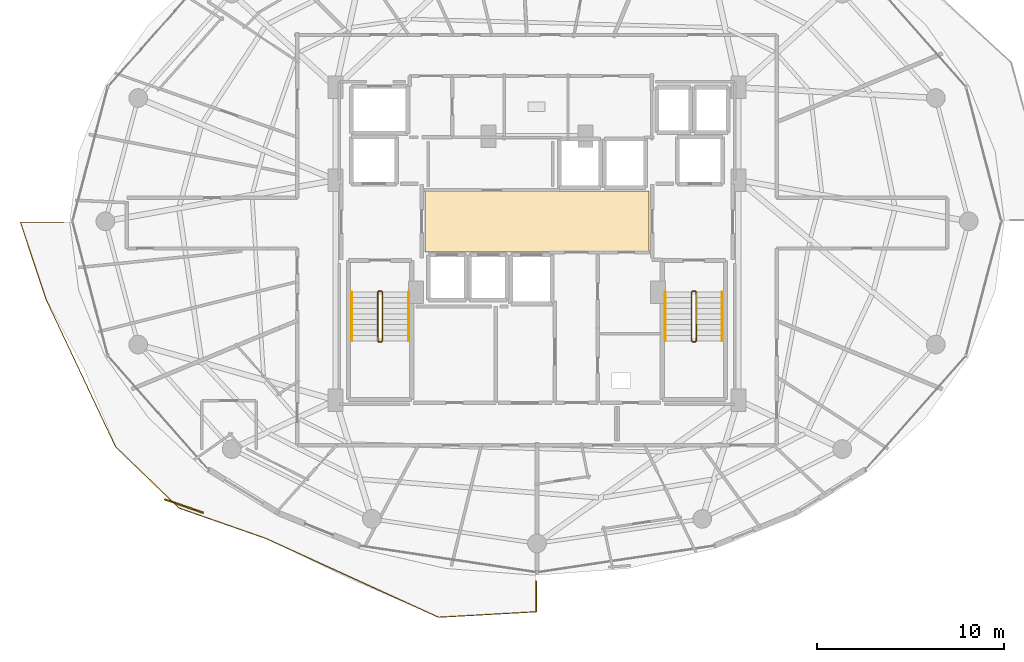
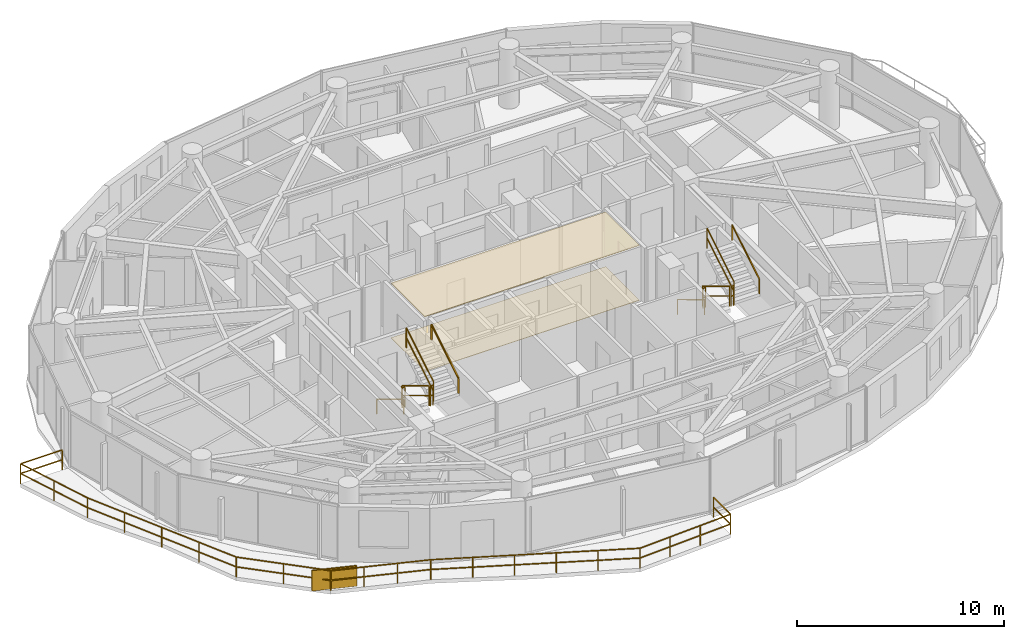
# One storey, part 26 of 28: 14 railings, 2 coverings, 1 shading device.
"""IFC4 building model written with IfcOpenShell, lengths in metres."""

from ifc_helpers import new_model, si_unit, direction, frame, origin, origin_2d, place, context, subcontext, project, spatial, polyline, rectangle, outline, extrude, material, layer, layer_set, type_object, element, save


model = new_model("IFC4")

# Units and contexts
model_context = context("Model", 3, precision=1e-05, world=origin(), true_north=direction((0.0, 1.0)))
body_context = subcontext(model_context, "Body", "Model", "MODEL_VIEW")
ifc_project = project(units=[si_unit("LENGTHUNIT", "METRE"), si_unit("AREAUNIT", "SQUARE_METRE"), si_unit("VOLUMEUNIT", "CUBIC_METRE"), si_unit("PLANEANGLEUNIT", "RADIAN"), si_unit("MASSUNIT", "GRAM", prefix="KILO")], contexts=[model_context])

# Site, building, storey
site_placement = place(None, origin())
site = spatial("IfcSite", under=ifc_project, at=site_placement, CompositionType="ELEMENT")
building_placement = place(site_placement, origin())
building = spatial("IfcBuilding", under=site, at=building_placement, Name="Vorneva Point Tower", CompositionType="ELEMENT")
storey_placement = place(building_placement, frame((0.0, 0.0, 164.10009765625)))
storey = spatial("IfcBuildingStorey", under=building, at=storey_placement, Name="L44", CompositionType="ELEMENT", Elevation=164.10009765625)

# Coverings
ifc_material_1 = material(Name="Perforated acoustic aluminium baffle ceiling", Category="aluminium")
ifc_layer_1 = layer(ifc_material_1, 0.030029296875)
ifc_layer_set_1 = layer_set([ifc_layer_1], Name="Perforated acoustic aluminium baffle ceiling")
covering_type_1 = type_object("IfcCoveringType", Name="COV-CEIL-BAF", PredefinedType="CEILING", material=ifc_layer_set_1)
covering_1_placement = place(storey_placement, frame((0.0, 0.0, 3.2099609375)))
element("IfcCovering", 1, at=covering_1_placement, inside=storey, type_object=covering_type_1, Name="L44 Lift Lobby Acoustic Baffle Ceiling", PredefinedType="CEILING", context=body_context, shape_type="SweptSolid", body=[
    extrude(outline(polyline([(32.02001953125, 24.3701171875), (43.97998046875, 24.3701171875), (43.97998046875, 27.6298828125), (32.02001953125, 27.6298828125), (32.02001953125, 24.3701171875)])), origin(), (0.0, 0.0, 1.0), 0.034912109375),
])
ifc_material_2 = material(Name="Acoustic wool hospitality carpet", Category="textile")
ifc_layer_2 = layer(ifc_material_2, 0.01806640625)
ifc_layer_set_2 = layer_set([ifc_layer_2], Name="Acoustic wool hospitality carpet")
covering_type_2 = type_object("IfcCoveringType", Name="COV-FLR-CRP", PredefinedType="FLOORING", material=ifc_layer_set_2)
covering_2_placement = place(storey_placement, frame((0.0, 0.0, -0.005126953125)))
element("IfcCovering", 2, at=covering_2_placement, inside=storey, type_object=covering_type_2, Name="L44 Lift Lobby Floor Finish", PredefinedType="FLOORING", context=body_context, shape_type="SweptSolid", body=[
    extrude(outline(polyline([(32.02001953125, 24.3701171875), (43.97998046875, 24.3701171875), (43.97998046875, 27.6298828125), (32.02001953125, 27.6298828125), (32.02001953125, 24.3701171875)])), origin(), (0.0, 0.0, 1.0), 0.02294921875),
])

# Railings
ifc_material_3 = material(Name="Pale anodised aluminium", Category="aluminium")
railing_type_1 = type_object("IfcRailingType", Name="RL-BAL-1200", PredefinedType="BALUSTRADE", material=ifc_material_3)
railing_1_placement = place(storey_placement, frame((37.949951171875, 5.147216796875, 0.0)))
element("IfcRailing", 3, at=railing_1_placement, inside=storey, type_object=railing_type_1, Name="L44 Wave Balcony Balustrade SW.1", PredefinedType="BALUSTRADE", context=body_context, shape_type="SweptSolid", body=[
    extrude(rectangle(XDim=0.048095703125, YDim=0.048095703125, at=origin_2d()), frame((0.0, 0.0, 1.17578125), z_axis=(0.0, 1.0, 0.0), x_axis=(-1.0, 0.0, 0.0)), (0.0, 0.0, 1.0), 1.635498046875),
    extrude(rectangle(XDim=0.048095703125, YDim=0.048095703125, at=origin_2d()), frame((0.0, 0.0, 0.60009765625), z_axis=(0.0, 1.0, 0.0), x_axis=(-1.0, 0.0, 0.0)), (0.0, 0.0, 1.0), 1.635498046875),
    extrude(rectangle(XDim=0.0419921875, YDim=0.0419921875, at=origin_2d()), origin(), (0.0, 0.0, 1.0), 1.15185546875),
    extrude(rectangle(XDim=0.0419921875, YDim=0.0419921875, at=origin_2d()), frame((0.0, 1.635498046875, 0.0)), (0.0, 0.0, 1.0), 1.15185546875),
])
railing_2_placement = place(storey_placement, frame((12.73388671875, 25.949951171875, 0.0)))
element("IfcRailing", 4, at=railing_2_placement, inside=storey, type_object=railing_type_1, Name="L44 Wave Balcony Balustrade SW.2", PredefinedType="BALUSTRADE", context=body_context, shape_type="SweptSolid", body=[
    extrude(rectangle(XDim=0.048095703125, YDim=0.048095703125, at=origin_2d()), frame((0.0, 0.0, 1.17578125), z_axis=(-1.0, 0.0, 0.0), x_axis=(0.0, -1.0, 0.0)), (0.0, 0.0, 1.0), 2.3173828125),
    extrude(rectangle(XDim=0.048095703125, YDim=0.048095703125, at=origin_2d()), frame((0.0, 0.0, 0.60009765625), z_axis=(-1.0, 0.0, 0.0), x_axis=(0.0, -1.0, 0.0)), (0.0, 0.0, 1.0), 2.3173828125),
    extrude(rectangle(XDim=0.048095703125, YDim=0.048095703125, at=origin_2d()), frame((-2.3173828125, 0.0, 1.17578125), z_axis=(0.314768350801, -0.949168523148, 0.0), x_axis=(0.949168523148, 0.314768350801, 0.0)), (0.0, 0.0, 1.0), 4.317138671875),
    extrude(rectangle(XDim=0.048095703125, YDim=0.048095703125, at=origin_2d()), frame((-2.3173828125, 0.0, 0.60009765625), z_axis=(0.314768350801, -0.949168523148, 0.0), x_axis=(0.949168523148, 0.314768350801, 0.0)), (0.0, 0.0, 1.0), 4.317138671875),
    extrude(rectangle(XDim=0.048095703125, YDim=0.048095703125, at=origin_2d()), frame((-0.95849609375, -4.09765625, 1.17578125), z_axis=(0.426522468601, -0.90447696697, 0.0), x_axis=(0.90447696697, 0.426522468601, 0.0)), (0.0, 0.0, 1.0), 8.734130859375),
    extrude(rectangle(XDim=0.048095703125, YDim=0.048095703125, at=origin_2d()), frame((-0.95849609375, -4.09765625, 0.60009765625), z_axis=(0.426522468601, -0.90447696697, 0.0), x_axis=(0.90447696697, 0.426522468601, 0.0)), (0.0, 0.0, 1.0), 8.734130859375),
    extrude(rectangle(XDim=0.048095703125, YDim=0.048095703125, at=origin_2d()), frame((2.766845703125, -11.99755859375, 1.17578125), z_axis=(0.719233181194, -0.694768760862, 0.0), x_axis=(0.694768760862, 0.719233181194, 0.0)), (0.0, 0.0, 1.0), 4.7001953125),
    extrude(rectangle(XDim=0.048095703125, YDim=0.048095703125, at=origin_2d()), frame((2.766845703125, -11.99755859375, 0.60009765625), z_axis=(0.719233181194, -0.694768760862, 0.0), x_axis=(0.694768760862, 0.719233181194, 0.0)), (0.0, 0.0, 1.0), 4.7001953125),
    extrude(rectangle(XDim=0.048095703125, YDim=0.048095703125, at=origin_2d()), frame((6.1474609375, -15.26318359375, 1.17578125), z_axis=(0.94396750054, -0.33003841886, 0.0), x_axis=(0.33003841886, 0.94396750054, 0.0)), (0.0, 0.0, 1.0), 4.914794921875),
    extrude(rectangle(XDim=0.048095703125, YDim=0.048095703125, at=origin_2d()), frame((6.1474609375, -15.26318359375, 0.60009765625), z_axis=(0.94396750054, -0.33003841886, 0.0), x_axis=(0.33003841886, 0.94396750054, 0.0)), (0.0, 0.0, 1.0), 4.914794921875),
    extrude(rectangle(XDim=0.048095703125, YDim=0.048095703125, at=origin_2d()), frame((10.786865234375, -16.88525390625, 1.17578125), z_axis=(0.909685431794, -0.415297983599, 0.0), x_axis=(0.415297983599, 0.909685431794, 0.0)), (0.0, 0.0, 1.0), 10.13427734375),
    extrude(rectangle(XDim=0.048095703125, YDim=0.048095703125, at=origin_2d()), frame((10.786865234375, -16.88525390625, 0.60009765625), z_axis=(0.909685431794, -0.415297983599, 0.0), x_axis=(0.415297983599, 0.909685431794, 0.0)), (0.0, 0.0, 1.0), 10.13427734375),
    extrude(rectangle(XDim=0.048095703125, YDim=0.048095703125, at=origin_2d()), frame((20.005859375, -21.093994140625, 1.17578125), z_axis=(0.998441147821, 0.055814642676, 0.0), x_axis=(-0.055814642676, 0.998441147821, 0.0)), (0.0, 0.0, 1.0), 5.21826171875),
    extrude(rectangle(XDim=0.048095703125, YDim=0.048095703125, at=origin_2d()), frame((20.005859375, -21.093994140625, 0.60009765625), z_axis=(0.998441147821, 0.055814642676, 0.0), x_axis=(-0.055814642676, 0.998441147821, 0.0)), (0.0, 0.0, 1.0), 5.21826171875),
    extrude(rectangle(XDim=0.0419921875, YDim=0.0419921875, at=origin_2d()), origin(), (0.0, 0.0, 1.0), 1.15185546875),
    extrude(rectangle(XDim=0.0419921875, YDim=0.0419921875, at=origin_2d()), frame((-2.3173828125, 0.0, 0.0)), (0.0, 0.0, 1.0), 1.15185546875),
    extrude(rectangle(XDim=0.0419921875, YDim=0.0419921875, at=origin_2d()), frame((-1.637939453125, -2.048828125, 0.0)), (0.0, 0.0, 1.0), 1.15185546875),
    extrude(rectangle(XDim=0.0419921875, YDim=0.0419921875, at=origin_2d()), frame((-0.95849609375, -4.09765625, 0.0)), (0.0, 0.0, 1.0), 1.15185546875),
    extrude(rectangle(XDim=0.0419921875, YDim=0.0419921875, at=origin_2d()), frame((-0.027099609375, -6.07275390625, 0.0)), (0.0, 0.0, 1.0), 1.15185546875),
    extrude(rectangle(XDim=0.0419921875, YDim=0.0419921875, at=origin_2d()), frame((0.904296875, -8.047607421875, 0.0)), (0.0, 0.0, 1.0), 1.15185546875),
    extrude(rectangle(XDim=0.0419921875, YDim=0.0419921875, at=origin_2d()), frame((1.83544921875, -10.0224609375, 0.0)), (0.0, 0.0, 1.0), 1.15185546875),
    extrude(rectangle(XDim=0.0419921875, YDim=0.0419921875, at=origin_2d()), frame((2.766845703125, -11.99755859375, 0.0)), (0.0, 0.0, 1.0), 1.15185546875),
    extrude(rectangle(XDim=0.0419921875, YDim=0.0419921875, at=origin_2d()), frame((4.45703125, -13.63037109375, 0.0)), (0.0, 0.0, 1.0), 1.15185546875),
    extrude(rectangle(XDim=0.0419921875, YDim=0.0419921875, at=origin_2d()), frame((6.1474609375, -15.26318359375, 0.0)), (0.0, 0.0, 1.0), 1.15185546875),
    extrude(rectangle(XDim=0.0419921875, YDim=0.0419921875, at=origin_2d()), frame((7.69384765625, -15.803955078125, 0.0)), (0.0, 0.0, 1.0), 1.15185546875),
    extrude(rectangle(XDim=0.0419921875, YDim=0.0419921875, at=origin_2d()), frame((9.240478515625, -16.344482421875, 0.0)), (0.0, 0.0, 1.0), 1.15185546875),
    extrude(rectangle(XDim=0.0419921875, YDim=0.0419921875, at=origin_2d()), frame((10.786865234375, -16.88525390625, 0.0)), (0.0, 0.0, 1.0), 1.15185546875),
    extrude(rectangle(XDim=0.0419921875, YDim=0.0419921875, at=origin_2d()), frame((12.630615234375, -17.72705078125, 0.0)), (0.0, 0.0, 1.0), 1.15185546875),
    extrude(rectangle(XDim=0.0419921875, YDim=0.0419921875, at=origin_2d()), frame((14.474365234375, -18.56884765625, 0.0)), (0.0, 0.0, 1.0), 1.15185546875),
    extrude(rectangle(XDim=0.0419921875, YDim=0.0419921875, at=origin_2d()), frame((16.318359375, -19.410400390625, 0.0)), (0.0, 0.0, 1.0), 1.15185546875),
    extrude(rectangle(XDim=0.0419921875, YDim=0.0419921875, at=origin_2d()), frame((18.162109375, -20.252197265625, 0.0)), (0.0, 0.0, 1.0), 1.15185546875),
    extrude(rectangle(XDim=0.0419921875, YDim=0.0419921875, at=origin_2d()), frame((20.005859375, -21.093994140625, 0.0)), (0.0, 0.0, 1.0), 1.15185546875),
    extrude(rectangle(XDim=0.0419921875, YDim=0.0419921875, at=origin_2d()), frame((21.74267578125, -20.996826171875, 0.0)), (0.0, 0.0, 1.0), 1.15185546875),
    extrude(rectangle(XDim=0.0419921875, YDim=0.0419921875, at=origin_2d()), frame((23.479248046875, -20.89990234375, 0.0)), (0.0, 0.0, 1.0), 1.15185546875),
    extrude(rectangle(XDim=0.0419921875, YDim=0.0419921875, at=origin_2d()), frame((25.216064453125, -20.802734375, 0.0)), (0.0, 0.0, 1.0), 1.15185546875),
])
ifc_material_4 = material(Name="Brushed stainless steel S304", Category="steel")
railing_type_2 = type_object("IfcRailingType", Name="RL-HND-920", PredefinedType="HANDRAIL", material=ifc_material_4)
railing_3_placement = place(storey_placement, frame((28.10009765625, 22.219970703125, 0.1748046875)))
element("IfcRailing", 5, at=railing_3_placement, inside=storey, type_object=railing_type_2, Name="L44 ST1 stair handrail 1", PredefinedType="HANDRAIL", context=body_context, shape_type="SweptSolid", body=[
    extrude(rectangle(XDim=0.048095703125, YDim=0.048095703125, at=origin_2d()), frame((0.0, 0.0, 0.8759765625), z_axis=(0.0, -0.856147343639, 0.516731773728), x_axis=(1.0, 0.0, 0.0)), (0.0, 0.0, 1.0), 3.04833984375),
    extrude(rectangle(XDim=0.0419921875, YDim=0.0419921875, at=origin_2d()), origin(), (0.0, 0.0, 1.0), 0.851806640625),
    extrude(rectangle(XDim=0.0419921875, YDim=0.0419921875, at=origin_2d()), frame((0.0, -2.60986328125, 1.5751953125)), (0.0, 0.0, 1.0), 0.851806640625),
])
railing_4_placement = place(storey_placement, frame((31.14990234375, 19.610107421875, 1.9248046875)))
element("IfcRailing", 6, at=railing_4_placement, inside=storey, type_object=railing_type_2, Name="L44 ST1 stair handrail 2", PredefinedType="HANDRAIL", context=body_context, shape_type="SweptSolid", body=[
    extrude(rectangle(XDim=0.048095703125, YDim=0.048095703125, at=origin_2d()), frame((0.0, 0.0, 0.8759765625), z_axis=(0.0, 0.856147343639, 0.516731773728), x_axis=(-1.0, 0.0, 0.0)), (0.0, 0.0, 1.0), 3.04833984375),
    extrude(rectangle(XDim=0.0419921875, YDim=0.0419921875, at=origin_2d()), origin(), (0.0, 0.0, 1.0), 0.851806640625),
    extrude(rectangle(XDim=0.0419921875, YDim=0.0419921875, at=origin_2d()), frame((0.0, 2.60986328125, 1.5751953125)), (0.0, 0.0, 1.0), 0.851806640625),
])
railing_5_placement = place(storey_placement, frame((44.85009765625, 22.219970703125, 0.1748046875)))
element("IfcRailing", 7, at=railing_5_placement, inside=storey, type_object=railing_type_2, Name="L44 ST2 stair handrail 1", PredefinedType="HANDRAIL", context=body_context, shape_type="SweptSolid", body=[
    extrude(rectangle(XDim=0.048095703125, YDim=0.048095703125, at=origin_2d()), frame((0.0, 0.0, 0.8759765625), z_axis=(0.0, -0.856147343639, 0.516731773728), x_axis=(1.0, 0.0, 0.0)), (0.0, 0.0, 1.0), 3.04833984375),
    extrude(rectangle(XDim=0.0419921875, YDim=0.0419921875, at=origin_2d()), origin(), (0.0, 0.0, 1.0), 0.851806640625),
    extrude(rectangle(XDim=0.0419921875, YDim=0.0419921875, at=origin_2d()), frame((0.0, -2.60986328125, 1.5751953125)), (0.0, 0.0, 1.0), 0.851806640625),
])
railing_6_placement = place(storey_placement, frame((47.89990234375, 19.610107421875, 1.9248046875)))
element("IfcRailing", 8, at=railing_6_placement, inside=storey, type_object=railing_type_2, Name="L44 ST2 stair handrail 2", PredefinedType="HANDRAIL", context=body_context, shape_type="SweptSolid", body=[
    extrude(rectangle(XDim=0.048095703125, YDim=0.048095703125, at=origin_2d()), frame((0.0, 0.0, 0.8759765625), z_axis=(0.0, 0.856147343639, 0.516731773728), x_axis=(-1.0, 0.0, 0.0)), (0.0, 0.0, 1.0), 3.04833984375),
    extrude(rectangle(XDim=0.0419921875, YDim=0.0419921875, at=origin_2d()), origin(), (0.0, 0.0, 1.0), 0.851806640625),
    extrude(rectangle(XDim=0.0419921875, YDim=0.0419921875, at=origin_2d()), frame((0.0, 2.60986328125, 1.5751953125)), (0.0, 0.0, 1.0), 0.851806640625),
])
railing_type_3 = type_object("IfcRailingType", Name="RL-STG-1100", PredefinedType="GUARDRAIL", material=ifc_material_4)
railing_7_placement = place(storey_placement, frame((29.5, 22.219970703125, 0.1748046875)))
element("IfcRailing", 9, at=railing_7_placement, inside=storey, type_object=railing_type_3, Name="L44 ST1 stair guard 1", PredefinedType="GUARDRAIL", context=body_context, shape_type="SweptSolid", body=[
    extrude(rectangle(XDim=0.048095703125, YDim=0.048095703125, at=origin_2d()), frame((0.0, 0.0, 1.17578125), z_axis=(0.0, -0.856147343639, 0.516731773728), x_axis=(1.0, 0.0, 0.0)), (0.0, 0.0, 1.0), 3.04833984375),
    extrude(rectangle(XDim=0.048095703125, YDim=0.048095703125, at=origin_2d()), frame((0.0, 0.0, 0.60009765625), z_axis=(0.0, -0.856147343639, 0.516731773728), x_axis=(1.0, 0.0, 0.0)), (0.0, 0.0, 1.0), 3.04833984375),
    extrude(rectangle(XDim=0.0419921875, YDim=0.0419921875, at=origin_2d()), origin(), (0.0, 0.0, 1.0), 1.15185546875),
    extrude(rectangle(XDim=0.0419921875, YDim=0.0419921875, at=origin_2d()), frame((0.0, -2.60986328125, 1.5751953125)), (0.0, 0.0, 1.0), 1.15185546875),
])
railing_8_placement = place(storey_placement, frame((29.550048828125, 19.56005859375, 1.75)))
element("IfcRailing", 10, at=railing_8_placement, inside=storey, type_object=railing_type_3, Name="L44 ST1 stair guard 2", PredefinedType="GUARDRAIL", context=body_context, shape_type="SweptSolid", body=[
    extrude(rectangle(XDim=0.048095703125, YDim=0.048095703125, at=origin_2d()), frame((0.0, 0.0, 1.17578125), z_axis=(1.0, 0.0, 0.0), x_axis=(0.0, 1.0, 0.0)), (0.0, 0.0, 1.0), 0.14990234375),
    extrude(rectangle(XDim=0.048095703125, YDim=0.048095703125, at=origin_2d()), frame((0.0, 0.0, 0.60009765625), z_axis=(1.0, 0.0, 0.0), x_axis=(0.0, 1.0, 0.0)), (0.0, 0.0, 1.0), 0.14990234375),
    extrude(rectangle(XDim=0.0419921875, YDim=0.0419921875, at=origin_2d()), origin(), (0.0, 0.0, 1.0), 1.15185546875),
    extrude(rectangle(XDim=0.0419921875, YDim=0.0419921875, at=origin_2d()), frame((0.14990234375, 0.0, 0.0)), (0.0, 0.0, 1.0), 1.15185546875),
])
railing_9_placement = place(storey_placement, frame((29.75, 19.610107421875, 1.9248046875)))
element("IfcRailing", 11, at=railing_9_placement, inside=storey, type_object=railing_type_3, Name="L44 ST1 stair guard 3", PredefinedType="GUARDRAIL", context=body_context, shape_type="SweptSolid", body=[
    extrude(rectangle(XDim=0.048095703125, YDim=0.048095703125, at=origin_2d()), frame((0.0, 0.0, 1.17578125), z_axis=(0.0, 0.856147343639, 0.516731773728), x_axis=(-1.0, 0.0, 0.0)), (0.0, 0.0, 1.0), 3.04833984375),
    extrude(rectangle(XDim=0.048095703125, YDim=0.048095703125, at=origin_2d()), frame((0.0, 0.0, 0.60009765625), z_axis=(0.0, 0.856147343639, 0.516731773728), x_axis=(-1.0, 0.0, 0.0)), (0.0, 0.0, 1.0), 3.04833984375),
    extrude(rectangle(XDim=0.0419921875, YDim=0.0419921875, at=origin_2d()), origin(), (0.0, 0.0, 1.0), 1.15185546875),
    extrude(rectangle(XDim=0.0419921875, YDim=0.0419921875, at=origin_2d()), frame((0.0, 2.60986328125, 1.5751953125)), (0.0, 0.0, 1.0), 1.15185546875),
])
railing_10_placement = place(storey_placement, frame((29.550048828125, 22.27001953125, 0.0)))
element("IfcRailing", 12, at=railing_10_placement, inside=storey, type_object=railing_type_3, Name="L44 ST1 stair guard 4", PredefinedType="GUARDRAIL", context=body_context, shape_type="SweptSolid", body=[
    extrude(rectangle(XDim=0.048095703125, YDim=0.048095703125, at=origin_2d()), frame((0.0, 0.0, 1.17578125), z_axis=(1.0, 0.0, 0.0), x_axis=(0.0, 1.0, 0.0)), (0.0, 0.0, 1.0), 0.14990234375),
    extrude(rectangle(XDim=0.048095703125, YDim=0.048095703125, at=origin_2d()), frame((0.0, 0.0, 0.60009765625), z_axis=(1.0, 0.0, 0.0), x_axis=(0.0, 1.0, 0.0)), (0.0, 0.0, 1.0), 0.14990234375),
    extrude(rectangle(XDim=0.0419921875, YDim=0.0419921875, at=origin_2d()), origin(), (0.0, 0.0, 1.0), 1.15185546875),
    extrude(rectangle(XDim=0.0419921875, YDim=0.0419921875, at=origin_2d()), frame((0.14990234375, 0.0, 0.0)), (0.0, 0.0, 1.0), 1.15185546875),
])
railing_11_placement = place(storey_placement, frame((46.25, 22.219970703125, 0.1748046875)))
element("IfcRailing", 13, at=railing_11_placement, inside=storey, type_object=railing_type_3, Name="L44 ST2 stair guard 1", PredefinedType="GUARDRAIL", context=body_context, shape_type="SweptSolid", body=[
    extrude(rectangle(XDim=0.048095703125, YDim=0.048095703125, at=origin_2d()), frame((0.0, 0.0, 1.17578125), z_axis=(0.0, -0.856147343639, 0.516731773728), x_axis=(1.0, 0.0, 0.0)), (0.0, 0.0, 1.0), 3.04833984375),
    extrude(rectangle(XDim=0.048095703125, YDim=0.048095703125, at=origin_2d()), frame((0.0, 0.0, 0.60009765625), z_axis=(0.0, -0.856147343639, 0.516731773728), x_axis=(1.0, 0.0, 0.0)), (0.0, 0.0, 1.0), 3.04833984375),
    extrude(rectangle(XDim=0.0419921875, YDim=0.0419921875, at=origin_2d()), origin(), (0.0, 0.0, 1.0), 1.15185546875),
    extrude(rectangle(XDim=0.0419921875, YDim=0.0419921875, at=origin_2d()), frame((0.0, -2.60986328125, 1.5751953125)), (0.0, 0.0, 1.0), 1.15185546875),
])
railing_12_placement = place(storey_placement, frame((46.300048828125, 19.56005859375, 1.75)))
element("IfcRailing", 14, at=railing_12_placement, inside=storey, type_object=railing_type_3, Name="L44 ST2 stair guard 2", PredefinedType="GUARDRAIL", context=body_context, shape_type="SweptSolid", body=[
    extrude(rectangle(XDim=0.048095703125, YDim=0.048095703125, at=origin_2d()), frame((0.0, 0.0, 1.17578125), z_axis=(1.0, 0.0, 0.0), x_axis=(0.0, 1.0, 0.0)), (0.0, 0.0, 1.0), 0.14990234375),
    extrude(rectangle(XDim=0.048095703125, YDim=0.048095703125, at=origin_2d()), frame((0.0, 0.0, 0.60009765625), z_axis=(1.0, 0.0, 0.0), x_axis=(0.0, 1.0, 0.0)), (0.0, 0.0, 1.0), 0.14990234375),
    extrude(rectangle(XDim=0.0419921875, YDim=0.0419921875, at=origin_2d()), origin(), (0.0, 0.0, 1.0), 1.15185546875),
    extrude(rectangle(XDim=0.0419921875, YDim=0.0419921875, at=origin_2d()), frame((0.14990234375, 0.0, 0.0)), (0.0, 0.0, 1.0), 1.15185546875),
])
railing_13_placement = place(storey_placement, frame((46.5, 19.610107421875, 1.9248046875)))
element("IfcRailing", 15, at=railing_13_placement, inside=storey, type_object=railing_type_3, Name="L44 ST2 stair guard 3", PredefinedType="GUARDRAIL", context=body_context, shape_type="SweptSolid", body=[
    extrude(rectangle(XDim=0.048095703125, YDim=0.048095703125, at=origin_2d()), frame((0.0, 0.0, 1.17578125), z_axis=(0.0, 0.856147343639, 0.516731773728), x_axis=(-1.0, 0.0, 0.0)), (0.0, 0.0, 1.0), 3.04833984375),
    extrude(rectangle(XDim=0.048095703125, YDim=0.048095703125, at=origin_2d()), frame((0.0, 0.0, 0.60009765625), z_axis=(0.0, 0.856147343639, 0.516731773728), x_axis=(-1.0, 0.0, 0.0)), (0.0, 0.0, 1.0), 3.04833984375),
    extrude(rectangle(XDim=0.0419921875, YDim=0.0419921875, at=origin_2d()), origin(), (0.0, 0.0, 1.0), 1.15185546875),
    extrude(rectangle(XDim=0.0419921875, YDim=0.0419921875, at=origin_2d()), frame((0.0, 2.60986328125, 1.5751953125)), (0.0, 0.0, 1.0), 1.15185546875),
])
railing_14_placement = place(storey_placement, frame((46.300048828125, 22.27001953125, 0.0)))
element("IfcRailing", 16, at=railing_14_placement, inside=storey, type_object=railing_type_3, Name="L44 ST2 stair guard 4", PredefinedType="GUARDRAIL", context=body_context, shape_type="SweptSolid", body=[
    extrude(rectangle(XDim=0.048095703125, YDim=0.048095703125, at=origin_2d()), frame((0.0, 0.0, 1.17578125), z_axis=(1.0, 0.0, 0.0), x_axis=(0.0, 1.0, 0.0)), (0.0, 0.0, 1.0), 0.14990234375),
    extrude(rectangle(XDim=0.048095703125, YDim=0.048095703125, at=origin_2d()), frame((0.0, 0.0, 0.60009765625), z_axis=(1.0, 0.0, 0.0), x_axis=(0.0, 1.0, 0.0)), (0.0, 0.0, 1.0), 0.14990234375),
    extrude(rectangle(XDim=0.0419921875, YDim=0.0419921875, at=origin_2d()), origin(), (0.0, 0.0, 1.0), 1.15185546875),
    extrude(rectangle(XDim=0.0419921875, YDim=0.0419921875, at=origin_2d()), frame((0.14990234375, 0.0, 0.0)), (0.0, 0.0, 1.0), 1.15185546875),
])

# Shading device
shading_device_type = type_object("IfcShadingDeviceType", Name="SHD-JAL-1200", PredefinedType="JALOUSIE", material=ifc_material_3)
shading_device_placement = place(storey_placement, frame((19.140380859375, 10.794189453125, -0.02001953125), z_axis=(0.0, 0.0, 1.0), x_axis=(0.94396811905, -0.330036649809, 0.0)))
element("IfcShadingDevice", 17, at=shading_device_placement, inside=storey, type_object=shading_device_type, Name="L44 Balcony Vertical-Greenery Planter Screen SW.2", PredefinedType="JALOUSIE", context=body_context, shape_type="SweptSolid", body=[
    extrude(rectangle(XDim=2.199951171875, YDim=0.080078125, at=origin_2d()), origin(), (0.0, 0.0, 1.0), 1.199951171875),
])

save(model, "model.ifc")
